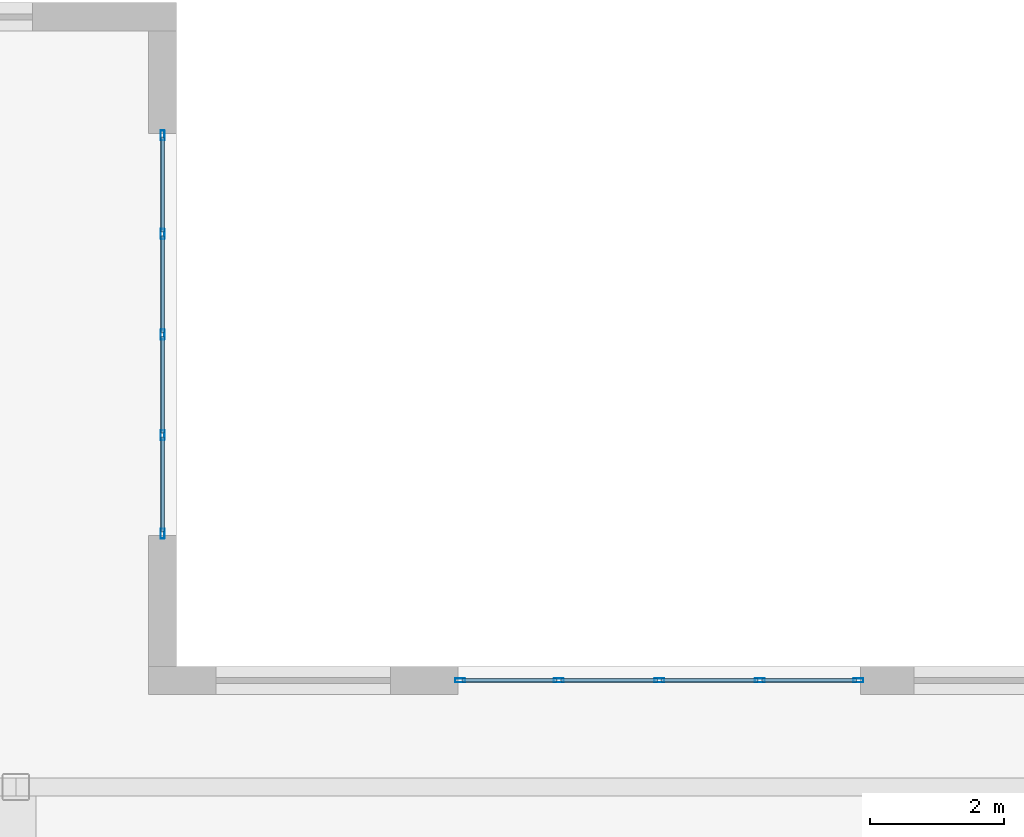
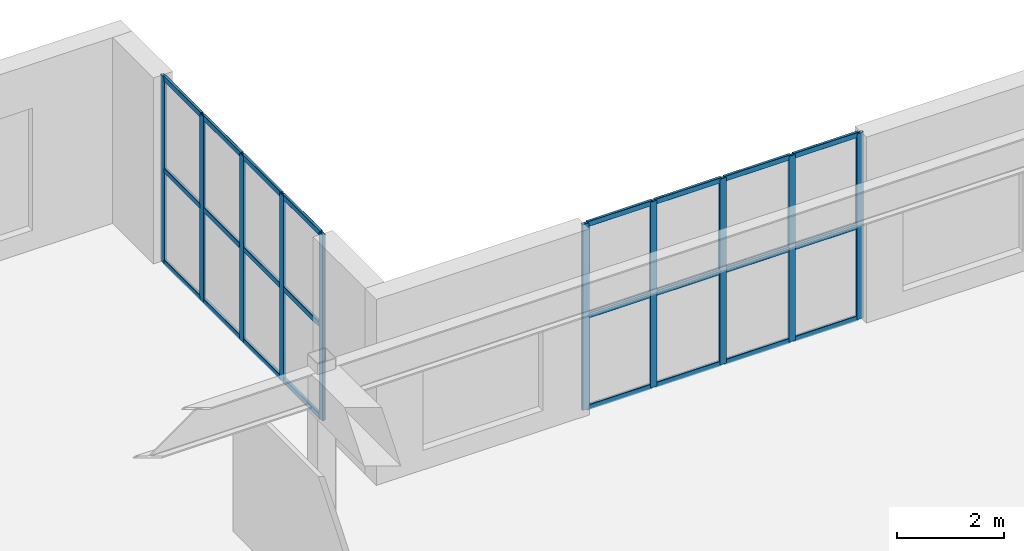
# One storey, part 7 of 15: 34 members, 2 elements without a shape of their own.
"""IFC4 building model written with IfcOpenShell, lengths in metres."""

from ifc_helpers import new_model, entity, si_unit, converted_unit, direction, frame, origin_with_axes, origin_2d_with_axis, place, context, subcontext, project, spatial, hollow_rectangle, extrude, material, material_profile, profile_set, type_object, element, aggregate, save


model = new_model("IFC4")

# Units and contexts
model_context = context("Model", 3, precision=1e-05, world=origin_with_axes(), true_north=direction((0.0, 1.0)))
body_context = subcontext(model_context, "Body", "Model", "MODEL_VIEW")
ifc_project = project(units=[si_unit("LENGTHUNIT", "METRE"), si_unit("AREAUNIT", "SQUARE_METRE"), si_unit("VOLUMEUNIT", "CUBIC_METRE"), converted_unit("PLANEANGLEUNIT", "DEGREE", entity("IfcPlaneAngleMeasure", 0.017453292519943295), si_unit("PLANEANGLEUNIT", "RADIAN"), dimensions=[0, 0, 0, 0, 0, 0, 0]), si_unit("MASSUNIT", "GRAM", prefix="KILO"), si_unit("THERMODYNAMICTEMPERATUREUNIT", "KELVIN")], contexts=[model_context])

# Site, building, storey
site_placement = place(None, origin_with_axes())
site = spatial("IfcSite", under=ifc_project, at=site_placement, CompositionType="ELEMENT")
building_placement = place(site_placement, origin_with_axes())
building = spatial("IfcBuilding", under=site, at=building_placement, Name="Varnlund Millrace Tower", CompositionType="ELEMENT")
storey_placement = place(building_placement, frame((0.0, 0.0, 10.8), z_axis=(0.0, 0.0, 1.0), x_axis=(1.0, 0.0, 0.0)))
storey = spatial("IfcBuildingStorey", under=building, at=storey_placement, Name="L02", CompositionType="ELEMENT", Elevation=10.8)

# Curtain wall, members
ifc_material_1 = material(Name="Thermally broken architectural bronze curtain wall", Category="aluminium")
curtain_wall_type = type_object("IfcCurtainWallType", Name="Type-CW-Sys3-PortalBridge", PredefinedType="NOTDEFINED", material=ifc_material_1)
curtain_wall_1_placement = place(storey_placement, frame((58.2, 39.39, 0.0), z_axis=(0.0, 0.0, 1.0), x_axis=(1.0, 0.0, 0.0)))
curtain_wall_1 = element("IfcCurtainWall", 1, at=curtain_wall_1_placement, inside=storey, type_object=curtain_wall_type, Name="Type-CW-Sys3-PortalBridge", PredefinedType="NOTDEFINED")
ifc_material_2 = material(Name="Architectural bronze aluminium alloy 6063-T6", Category="aluminium")
ifc_material_profile_1 = material_profile(ifc_material_2, hollow_rectangle(XDim=0.06, YDim=0.15, WallThickness=0.004, InnerFilletRadius=0.004, OuterFilletRadius=0.008, at=origin_2d_with_axis()), Name="Architectural bronze aluminium alloy 6063-T6")
ifc_profile_set_1 = profile_set([ifc_material_profile_1], Name="Architectural bronze aluminium alloy 6063-T6")
member_type_1 = type_object("IfcMemberType", Name="Type-CW-Mullion-60X150", PredefinedType="MULLION", material=ifc_profile_set_1)
member_1_placement = place(storey_placement, frame((58.23, 39.39, 0.0), z_axis=(0.0, 0.0, 1.0), x_axis=(0.0, 1.0, 0.0)))
member_1 = element("IfcMember", 2, at=member_1_placement, type_object=member_type_1, Name="CW-03 mullion 1", PredefinedType="MULLION", context=body_context, shape_type="SweptSolid", body=[
    extrude(hollow_rectangle(XDim=0.06, YDim=0.15, WallThickness=0.004, InnerFilletRadius=0.004, OuterFilletRadius=0.008, at=origin_2d_with_axis()), origin_with_axes(), (0.0, 0.0, 1.0), 4.26),
])
member_2_placement = place(storey_placement, frame((59.7, 39.39, 0.0), z_axis=(0.0, 0.0, 1.0), x_axis=(0.0, 1.0, 0.0)))
member_2 = element("IfcMember", 3, at=member_2_placement, type_object=member_type_1, Name="CW-03 mullion 2", PredefinedType="MULLION", context=body_context, shape_type="SweptSolid", body=[
    extrude(hollow_rectangle(XDim=0.06, YDim=0.15, WallThickness=0.004, InnerFilletRadius=0.004, OuterFilletRadius=0.008, at=origin_2d_with_axis()), origin_with_axes(), (0.0, 0.0, 1.0), 4.26),
])
member_3_placement = place(storey_placement, frame((61.2, 39.39, 0.0), z_axis=(0.0, 0.0, 1.0), x_axis=(0.0, 1.0, 0.0)))
member_3 = element("IfcMember", 4, at=member_3_placement, type_object=member_type_1, Name="CW-03 mullion 3", PredefinedType="MULLION", context=body_context, shape_type="SweptSolid", body=[
    extrude(hollow_rectangle(XDim=0.06, YDim=0.15, WallThickness=0.004, InnerFilletRadius=0.004, OuterFilletRadius=0.008, at=origin_2d_with_axis()), origin_with_axes(), (0.0, 0.0, 1.0), 4.26),
])
member_4_placement = place(storey_placement, frame((62.7, 39.39, 0.0), z_axis=(0.0, 0.0, 1.0), x_axis=(0.0, 1.0, 0.0)))
member_4 = element("IfcMember", 5, at=member_4_placement, type_object=member_type_1, Name="CW-03 mullion 4", PredefinedType="MULLION", context=body_context, shape_type="SweptSolid", body=[
    extrude(hollow_rectangle(XDim=0.06, YDim=0.15, WallThickness=0.004, InnerFilletRadius=0.004, OuterFilletRadius=0.008, at=origin_2d_with_axis()), origin_with_axes(), (0.0, 0.0, 1.0), 4.26),
])
member_5_placement = place(storey_placement, frame((64.17, 39.39, 0.0), z_axis=(0.0, 0.0, 1.0), x_axis=(0.0, 1.0, 0.0)))
member_5 = element("IfcMember", 6, at=member_5_placement, type_object=member_type_1, Name="CW-03 mullion 5", PredefinedType="MULLION", context=body_context, shape_type="SweptSolid", body=[
    extrude(hollow_rectangle(XDim=0.06, YDim=0.15, WallThickness=0.004, InnerFilletRadius=0.004, OuterFilletRadius=0.008, at=origin_2d_with_axis()), origin_with_axes(), (0.0, 0.0, 1.0), 4.26),
])

curtain_wall_2_placement = place(storey_placement, frame((53.79, 47.55, 0.0), z_axis=(0.0, 0.0, 1.0), x_axis=(1.0, 0.0, 0.0)))
curtain_wall_2 = element("IfcCurtainWall", 7, at=curtain_wall_2_placement, inside=storey, type_object=curtain_wall_type, Name="Type-CW-Sys3-PortalBridge", PredefinedType="NOTDEFINED")
member_6_placement = place(storey_placement, frame((53.79, 47.52, 0.0), z_axis=(0.0, 0.0, 1.0), x_axis=(1.0, 0.0, 0.0)))
member_6 = element("IfcMember", 8, at=member_6_placement, type_object=member_type_1, Name="CW-03 mullion 1", PredefinedType="MULLION", context=body_context, shape_type="SweptSolid", body=[
    extrude(hollow_rectangle(XDim=0.06, YDim=0.15, WallThickness=0.004, InnerFilletRadius=0.004, OuterFilletRadius=0.008, at=origin_2d_with_axis()), origin_with_axes(), (0.0, 0.0, 1.0), 4.26),
])
member_7_placement = place(storey_placement, frame((53.79, 46.05, 0.0), z_axis=(0.0, 0.0, 1.0), x_axis=(1.0, 0.0, 0.0)))
member_7 = element("IfcMember", 9, at=member_7_placement, type_object=member_type_1, Name="CW-03 mullion 2", PredefinedType="MULLION", context=body_context, shape_type="SweptSolid", body=[
    extrude(hollow_rectangle(XDim=0.06, YDim=0.15, WallThickness=0.004, InnerFilletRadius=0.004, OuterFilletRadius=0.008, at=origin_2d_with_axis()), origin_with_axes(), (0.0, 0.0, 1.0), 4.26),
])
member_8_placement = place(storey_placement, frame((53.79, 44.55, 0.0), z_axis=(0.0, 0.0, 1.0), x_axis=(1.0, 0.0, 0.0)))
member_8 = element("IfcMember", 10, at=member_8_placement, type_object=member_type_1, Name="CW-03 mullion 3", PredefinedType="MULLION", context=body_context, shape_type="SweptSolid", body=[
    extrude(hollow_rectangle(XDim=0.06, YDim=0.15, WallThickness=0.004, InnerFilletRadius=0.004, OuterFilletRadius=0.008, at=origin_2d_with_axis()), origin_with_axes(), (0.0, 0.0, 1.0), 4.26),
])
member_9_placement = place(storey_placement, frame((53.79, 43.05, 0.0), z_axis=(0.0, 0.0, 1.0), x_axis=(1.0, 0.0, 0.0)))
member_9 = element("IfcMember", 11, at=member_9_placement, type_object=member_type_1, Name="CW-03 mullion 4", PredefinedType="MULLION", context=body_context, shape_type="SweptSolid", body=[
    extrude(hollow_rectangle(XDim=0.06, YDim=0.15, WallThickness=0.004, InnerFilletRadius=0.004, OuterFilletRadius=0.008, at=origin_2d_with_axis()), origin_with_axes(), (0.0, 0.0, 1.0), 4.26),
])
member_10_placement = place(storey_placement, frame((53.79, 41.58, 0.0), z_axis=(0.0, 0.0, 1.0), x_axis=(1.0, 0.0, 0.0)))
member_10 = element("IfcMember", 12, at=member_10_placement, type_object=member_type_1, Name="CW-03 mullion 5", PredefinedType="MULLION", context=body_context, shape_type="SweptSolid", body=[
    extrude(hollow_rectangle(XDim=0.06, YDim=0.15, WallThickness=0.004, InnerFilletRadius=0.004, OuterFilletRadius=0.008, at=origin_2d_with_axis()), origin_with_axes(), (0.0, 0.0, 1.0), 4.26),
])

# Member
ifc_material_profile_2 = material_profile(ifc_material_2, hollow_rectangle(XDim=0.06, YDim=0.12, WallThickness=0.004, InnerFilletRadius=0.004, OuterFilletRadius=0.008, at=origin_2d_with_axis()), Name="Architectural bronze aluminium alloy 6063-T6")
ifc_profile_set_2 = profile_set([ifc_material_profile_2], Name="Architectural bronze aluminium alloy 6063-T6")
member_type_2 = type_object("IfcMemberType", Name="Type-CW-Transom-60X120", PredefinedType="USERDEFINED", material=ifc_profile_set_2)
member_11_placement = place(storey_placement, frame((58.26, 39.39, 0.03), z_axis=(1.0, 0.0, 0.0), x_axis=(0.0, 1.0, 0.0)))
member_11 = element("IfcMember", 13, at=member_11_placement, type_object=member_type_2, Name="CW-03 transom 1.1", ObjectType="TRANSOM", PredefinedType="USERDEFINED", context=body_context, shape_type="SweptSolid", body=[
    extrude(hollow_rectangle(XDim=0.06, YDim=0.12, WallThickness=0.004, InnerFilletRadius=0.004, OuterFilletRadius=0.008, at=origin_2d_with_axis()), origin_with_axes(), (0.0, 0.0, 1.0), 1.41),
])

member_12_placement = place(storey_placement, frame((58.26, 39.39, 2.13), z_axis=(1.0, 0.0, 0.0), x_axis=(0.0, 1.0, 0.0)))
member_12 = element("IfcMember", 14, at=member_12_placement, type_object=member_type_2, Name="CW-03 transom 1.2", ObjectType="TRANSOM", PredefinedType="USERDEFINED", context=body_context, shape_type="SweptSolid", body=[
    extrude(hollow_rectangle(XDim=0.06, YDim=0.12, WallThickness=0.004, InnerFilletRadius=0.004, OuterFilletRadius=0.008, at=origin_2d_with_axis()), origin_with_axes(), (0.0, 0.0, 1.0), 1.41),
])

member_13_placement = place(storey_placement, frame((58.26, 39.39, 4.23), z_axis=(1.0, 0.0, 0.0), x_axis=(0.0, 1.0, 0.0)))
member_13 = element("IfcMember", 15, at=member_13_placement, type_object=member_type_2, Name="CW-03 transom 1.3", ObjectType="TRANSOM", PredefinedType="USERDEFINED", context=body_context, shape_type="SweptSolid", body=[
    extrude(hollow_rectangle(XDim=0.06, YDim=0.12, WallThickness=0.004, InnerFilletRadius=0.004, OuterFilletRadius=0.008, at=origin_2d_with_axis()), origin_with_axes(), (0.0, 0.0, 1.0), 1.41),
])

member_14_placement = place(storey_placement, frame((59.73, 39.39, 0.03), z_axis=(1.0, 0.0, 0.0), x_axis=(0.0, 1.0, 0.0)))
member_14 = element("IfcMember", 16, at=member_14_placement, type_object=member_type_2, Name="CW-03 transom 2.1", ObjectType="TRANSOM", PredefinedType="USERDEFINED", context=body_context, shape_type="SweptSolid", body=[
    extrude(hollow_rectangle(XDim=0.06, YDim=0.12, WallThickness=0.004, InnerFilletRadius=0.004, OuterFilletRadius=0.008, at=origin_2d_with_axis()), origin_with_axes(), (0.0, 0.0, 1.0), 1.44),
])

member_15_placement = place(storey_placement, frame((59.73, 39.39, 2.13), z_axis=(1.0, 0.0, 0.0), x_axis=(0.0, 1.0, 0.0)))
member_15 = element("IfcMember", 17, at=member_15_placement, type_object=member_type_2, Name="CW-03 transom 2.2", ObjectType="TRANSOM", PredefinedType="USERDEFINED", context=body_context, shape_type="SweptSolid", body=[
    extrude(hollow_rectangle(XDim=0.06, YDim=0.12, WallThickness=0.004, InnerFilletRadius=0.004, OuterFilletRadius=0.008, at=origin_2d_with_axis()), origin_with_axes(), (0.0, 0.0, 1.0), 1.44),
])

member_16_placement = place(storey_placement, frame((59.73, 39.39, 4.23), z_axis=(1.0, 0.0, 0.0), x_axis=(0.0, 1.0, 0.0)))
member_16 = element("IfcMember", 18, at=member_16_placement, type_object=member_type_2, Name="CW-03 transom 2.3", ObjectType="TRANSOM", PredefinedType="USERDEFINED", context=body_context, shape_type="SweptSolid", body=[
    extrude(hollow_rectangle(XDim=0.06, YDim=0.12, WallThickness=0.004, InnerFilletRadius=0.004, OuterFilletRadius=0.008, at=origin_2d_with_axis()), origin_with_axes(), (0.0, 0.0, 1.0), 1.44),
])

member_17_placement = place(storey_placement, frame((61.23, 39.39, 0.03), z_axis=(1.0, 0.0, 0.0), x_axis=(0.0, 1.0, 0.0)))
member_17 = element("IfcMember", 19, at=member_17_placement, type_object=member_type_2, Name="CW-03 transom 3.1", ObjectType="TRANSOM", PredefinedType="USERDEFINED", context=body_context, shape_type="SweptSolid", body=[
    extrude(hollow_rectangle(XDim=0.06, YDim=0.12, WallThickness=0.004, InnerFilletRadius=0.004, OuterFilletRadius=0.008, at=origin_2d_with_axis()), origin_with_axes(), (0.0, 0.0, 1.0), 1.44),
])

member_18_placement = place(storey_placement, frame((61.23, 39.39, 2.13), z_axis=(1.0, 0.0, 0.0), x_axis=(0.0, 1.0, 0.0)))
member_18 = element("IfcMember", 20, at=member_18_placement, type_object=member_type_2, Name="CW-03 transom 3.2", ObjectType="TRANSOM", PredefinedType="USERDEFINED", context=body_context, shape_type="SweptSolid", body=[
    extrude(hollow_rectangle(XDim=0.06, YDim=0.12, WallThickness=0.004, InnerFilletRadius=0.004, OuterFilletRadius=0.008, at=origin_2d_with_axis()), origin_with_axes(), (0.0, 0.0, 1.0), 1.44),
])

member_19_placement = place(storey_placement, frame((61.23, 39.39, 4.23), z_axis=(1.0, 0.0, 0.0), x_axis=(0.0, 1.0, 0.0)))
member_19 = element("IfcMember", 21, at=member_19_placement, type_object=member_type_2, Name="CW-03 transom 3.3", ObjectType="TRANSOM", PredefinedType="USERDEFINED", context=body_context, shape_type="SweptSolid", body=[
    extrude(hollow_rectangle(XDim=0.06, YDim=0.12, WallThickness=0.004, InnerFilletRadius=0.004, OuterFilletRadius=0.008, at=origin_2d_with_axis()), origin_with_axes(), (0.0, 0.0, 1.0), 1.44),
])

member_20_placement = place(storey_placement, frame((62.73, 39.39, 0.03), z_axis=(1.0, 0.0, 0.0), x_axis=(0.0, 1.0, 0.0)))
member_20 = element("IfcMember", 22, at=member_20_placement, type_object=member_type_2, Name="CW-03 transom 4.1", ObjectType="TRANSOM", PredefinedType="USERDEFINED", context=body_context, shape_type="SweptSolid", body=[
    extrude(hollow_rectangle(XDim=0.06, YDim=0.12, WallThickness=0.004, InnerFilletRadius=0.004, OuterFilletRadius=0.008, at=origin_2d_with_axis()), origin_with_axes(), (0.0, 0.0, 1.0), 1.41),
])

member_21_placement = place(storey_placement, frame((62.73, 39.39, 2.13), z_axis=(1.0, 0.0, 0.0), x_axis=(0.0, 1.0, 0.0)))
member_21 = element("IfcMember", 23, at=member_21_placement, type_object=member_type_2, Name="CW-03 transom 4.2", ObjectType="TRANSOM", PredefinedType="USERDEFINED", context=body_context, shape_type="SweptSolid", body=[
    extrude(hollow_rectangle(XDim=0.06, YDim=0.12, WallThickness=0.004, InnerFilletRadius=0.004, OuterFilletRadius=0.008, at=origin_2d_with_axis()), origin_with_axes(), (0.0, 0.0, 1.0), 1.41),
])

member_22_placement = place(storey_placement, frame((62.73, 39.39, 4.23), z_axis=(1.0, 0.0, 0.0), x_axis=(0.0, 1.0, 0.0)))
member_22 = element("IfcMember", 24, at=member_22_placement, type_object=member_type_2, Name="CW-03 transom 4.3", ObjectType="TRANSOM", PredefinedType="USERDEFINED", context=body_context, shape_type="SweptSolid", body=[
    extrude(hollow_rectangle(XDim=0.06, YDim=0.12, WallThickness=0.004, InnerFilletRadius=0.004, OuterFilletRadius=0.008, at=origin_2d_with_axis()), origin_with_axes(), (0.0, 0.0, 1.0), 1.41),
])

aggregate(curtain_wall_1, [member_1, member_2, member_3, member_4, member_5, member_11, member_12, member_13, member_14, member_15, member_16, member_17, member_18, member_19, member_20, member_21, member_22])

member_23_placement = place(storey_placement, frame((53.79, 47.49, 0.03), z_axis=(0.0, -1.0, 0.0), x_axis=(1.0, 0.0, 0.0)))
member_23 = element("IfcMember", 25, at=member_23_placement, type_object=member_type_2, Name="CW-03 transom 1.1", ObjectType="TRANSOM", PredefinedType="USERDEFINED", context=body_context, shape_type="SweptSolid", body=[
    extrude(hollow_rectangle(XDim=0.06, YDim=0.12, WallThickness=0.004, InnerFilletRadius=0.004, OuterFilletRadius=0.008, at=origin_2d_with_axis()), origin_with_axes(), (0.0, 0.0, 1.0), 1.41),
])

member_24_placement = place(storey_placement, frame((53.79, 47.49, 2.13), z_axis=(0.0, -1.0, 0.0), x_axis=(1.0, 0.0, 0.0)))
member_24 = element("IfcMember", 26, at=member_24_placement, type_object=member_type_2, Name="CW-03 transom 1.2", ObjectType="TRANSOM", PredefinedType="USERDEFINED", context=body_context, shape_type="SweptSolid", body=[
    extrude(hollow_rectangle(XDim=0.06, YDim=0.12, WallThickness=0.004, InnerFilletRadius=0.004, OuterFilletRadius=0.008, at=origin_2d_with_axis()), origin_with_axes(), (0.0, 0.0, 1.0), 1.41),
])

member_25_placement = place(storey_placement, frame((53.79, 47.49, 4.23), z_axis=(0.0, -1.0, 0.0), x_axis=(1.0, 0.0, 0.0)))
member_25 = element("IfcMember", 27, at=member_25_placement, type_object=member_type_2, Name="CW-03 transom 1.3", ObjectType="TRANSOM", PredefinedType="USERDEFINED", context=body_context, shape_type="SweptSolid", body=[
    extrude(hollow_rectangle(XDim=0.06, YDim=0.12, WallThickness=0.004, InnerFilletRadius=0.004, OuterFilletRadius=0.008, at=origin_2d_with_axis()), origin_with_axes(), (0.0, 0.0, 1.0), 1.41),
])

member_26_placement = place(storey_placement, frame((53.79, 46.02, 0.03), z_axis=(0.0, -1.0, 0.0), x_axis=(1.0, 0.0, 0.0)))
member_26 = element("IfcMember", 28, at=member_26_placement, type_object=member_type_2, Name="CW-03 transom 2.1", ObjectType="TRANSOM", PredefinedType="USERDEFINED", context=body_context, shape_type="SweptSolid", body=[
    extrude(hollow_rectangle(XDim=0.06, YDim=0.12, WallThickness=0.004, InnerFilletRadius=0.004, OuterFilletRadius=0.008, at=origin_2d_with_axis()), origin_with_axes(), (0.0, 0.0, 1.0), 1.44),
])

member_27_placement = place(storey_placement, frame((53.79, 46.02, 2.13), z_axis=(0.0, -1.0, 0.0), x_axis=(1.0, 0.0, 0.0)))
member_27 = element("IfcMember", 29, at=member_27_placement, type_object=member_type_2, Name="CW-03 transom 2.2", ObjectType="TRANSOM", PredefinedType="USERDEFINED", context=body_context, shape_type="SweptSolid", body=[
    extrude(hollow_rectangle(XDim=0.06, YDim=0.12, WallThickness=0.004, InnerFilletRadius=0.004, OuterFilletRadius=0.008, at=origin_2d_with_axis()), origin_with_axes(), (0.0, 0.0, 1.0), 1.44),
])

member_28_placement = place(storey_placement, frame((53.79, 46.02, 4.23), z_axis=(0.0, -1.0, 0.0), x_axis=(1.0, 0.0, 0.0)))
member_28 = element("IfcMember", 30, at=member_28_placement, type_object=member_type_2, Name="CW-03 transom 2.3", ObjectType="TRANSOM", PredefinedType="USERDEFINED", context=body_context, shape_type="SweptSolid", body=[
    extrude(hollow_rectangle(XDim=0.06, YDim=0.12, WallThickness=0.004, InnerFilletRadius=0.004, OuterFilletRadius=0.008, at=origin_2d_with_axis()), origin_with_axes(), (0.0, 0.0, 1.0), 1.44),
])

member_29_placement = place(storey_placement, frame((53.79, 44.52, 0.03), z_axis=(0.0, -1.0, 0.0), x_axis=(1.0, 0.0, 0.0)))
member_29 = element("IfcMember", 31, at=member_29_placement, type_object=member_type_2, Name="CW-03 transom 3.1", ObjectType="TRANSOM", PredefinedType="USERDEFINED", context=body_context, shape_type="SweptSolid", body=[
    extrude(hollow_rectangle(XDim=0.06, YDim=0.12, WallThickness=0.004, InnerFilletRadius=0.004, OuterFilletRadius=0.008, at=origin_2d_with_axis()), origin_with_axes(), (0.0, 0.0, 1.0), 1.44),
])

member_30_placement = place(storey_placement, frame((53.79, 44.52, 2.13), z_axis=(0.0, -1.0, 0.0), x_axis=(1.0, 0.0, 0.0)))
member_30 = element("IfcMember", 32, at=member_30_placement, type_object=member_type_2, Name="CW-03 transom 3.2", ObjectType="TRANSOM", PredefinedType="USERDEFINED", context=body_context, shape_type="SweptSolid", body=[
    extrude(hollow_rectangle(XDim=0.06, YDim=0.12, WallThickness=0.004, InnerFilletRadius=0.004, OuterFilletRadius=0.008, at=origin_2d_with_axis()), origin_with_axes(), (0.0, 0.0, 1.0), 1.44),
])

member_31_placement = place(storey_placement, frame((53.79, 44.52, 4.23), z_axis=(0.0, -1.0, 0.0), x_axis=(1.0, 0.0, 0.0)))
member_31 = element("IfcMember", 33, at=member_31_placement, type_object=member_type_2, Name="CW-03 transom 3.3", ObjectType="TRANSOM", PredefinedType="USERDEFINED", context=body_context, shape_type="SweptSolid", body=[
    extrude(hollow_rectangle(XDim=0.06, YDim=0.12, WallThickness=0.004, InnerFilletRadius=0.004, OuterFilletRadius=0.008, at=origin_2d_with_axis()), origin_with_axes(), (0.0, 0.0, 1.0), 1.44),
])

member_32_placement = place(storey_placement, frame((53.79, 43.02, 0.03), z_axis=(0.0, -1.0, 0.0), x_axis=(1.0, 0.0, 0.0)))
member_32 = element("IfcMember", 34, at=member_32_placement, type_object=member_type_2, Name="CW-03 transom 4.1", ObjectType="TRANSOM", PredefinedType="USERDEFINED", context=body_context, shape_type="SweptSolid", body=[
    extrude(hollow_rectangle(XDim=0.06, YDim=0.12, WallThickness=0.004, InnerFilletRadius=0.004, OuterFilletRadius=0.008, at=origin_2d_with_axis()), origin_with_axes(), (0.0, 0.0, 1.0), 1.41),
])

member_33_placement = place(storey_placement, frame((53.79, 43.02, 2.13), z_axis=(0.0, -1.0, 0.0), x_axis=(1.0, 0.0, 0.0)))
member_33 = element("IfcMember", 35, at=member_33_placement, type_object=member_type_2, Name="CW-03 transom 4.2", ObjectType="TRANSOM", PredefinedType="USERDEFINED", context=body_context, shape_type="SweptSolid", body=[
    extrude(hollow_rectangle(XDim=0.06, YDim=0.12, WallThickness=0.004, InnerFilletRadius=0.004, OuterFilletRadius=0.008, at=origin_2d_with_axis()), origin_with_axes(), (0.0, 0.0, 1.0), 1.41),
])

member_34_placement = place(storey_placement, frame((53.79, 43.02, 4.23), z_axis=(0.0, -1.0, 0.0), x_axis=(1.0, 0.0, 0.0)))
member_34 = element("IfcMember", 36, at=member_34_placement, type_object=member_type_2, Name="CW-03 transom 4.3", ObjectType="TRANSOM", PredefinedType="USERDEFINED", context=body_context, shape_type="SweptSolid", body=[
    extrude(hollow_rectangle(XDim=0.06, YDim=0.12, WallThickness=0.004, InnerFilletRadius=0.004, OuterFilletRadius=0.008, at=origin_2d_with_axis()), origin_with_axes(), (0.0, 0.0, 1.0), 1.41),
])

aggregate(curtain_wall_2, [member_6, member_7, member_8, member_9, member_10, member_23, member_24, member_25, member_26, member_27, member_28, member_29, member_30, member_31, member_32, member_33, member_34])

save(model, "model.ifc")
